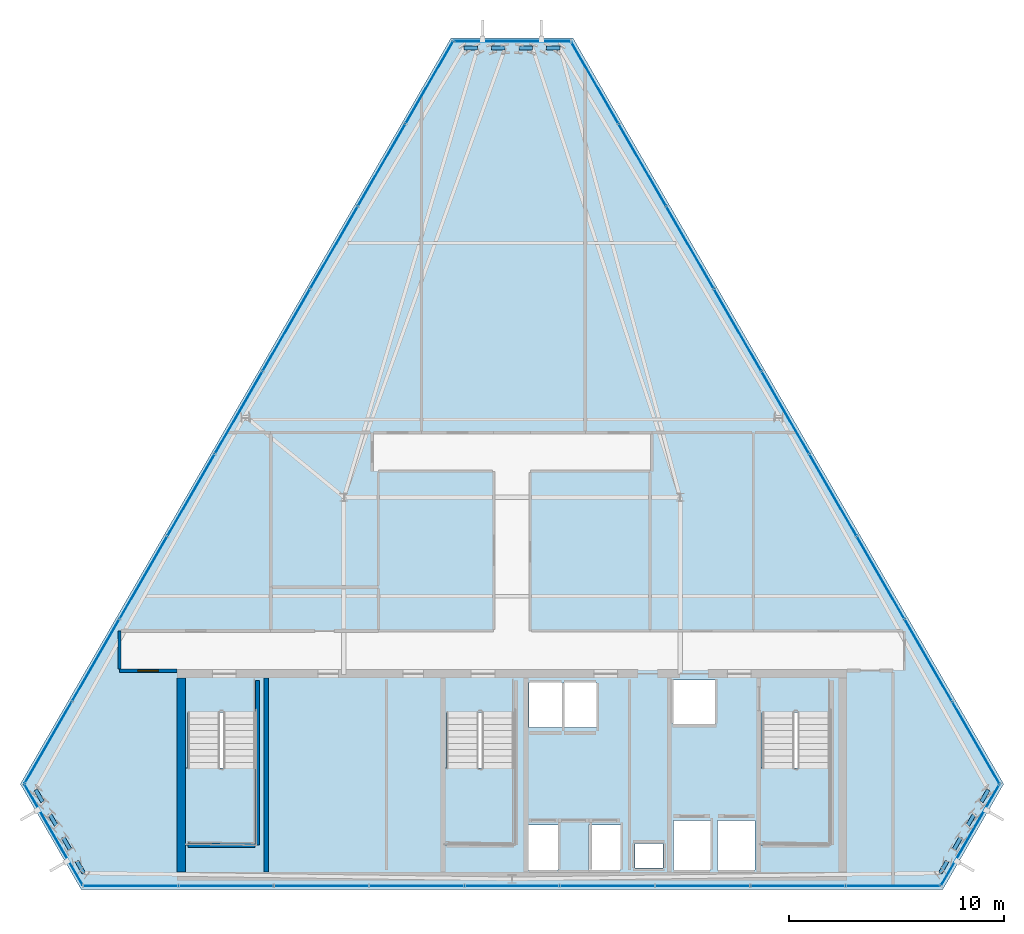
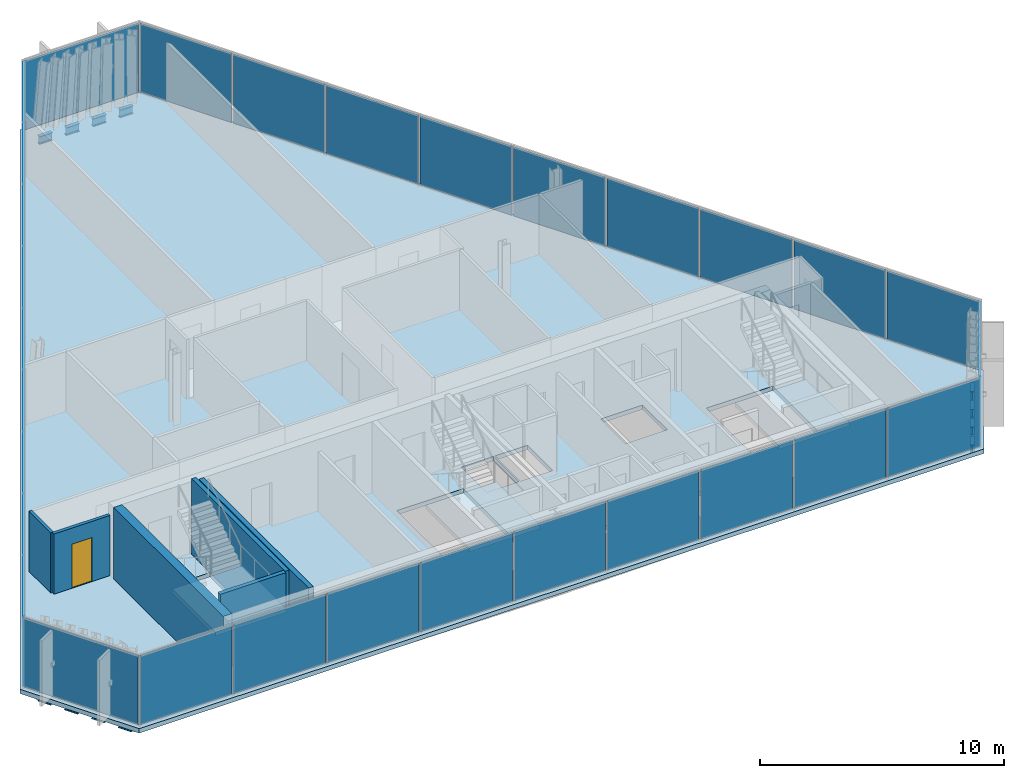
# One storey, part 28 of 34: 30 plates, 12 beams, 6 walls, 4 slabs, 1 door, 1 opening, 9 elements without a shape of their own.
"""IFC4 building model written with IfcOpenShell, lengths in metres."""

from ifc_helpers import new_model, si_unit, direction, frame, frame_2d, origin, origin_2d, place, context, subcontext, project, spatial, polyline, rectangle, i_section, outline, extrude, material, layer, layer_set, material_profile, profile_set, type_object, element, fill, aggregate, save


model = new_model("IFC4")

# Units and contexts
model_context = context("Model", 3, precision=1e-05, world=origin(), true_north=direction((0.0, 1.0)))
body_context = subcontext(model_context, "Body", "Model", "MODEL_VIEW")
ifc_project = project(units=[si_unit("LENGTHUNIT", "METRE"), si_unit("AREAUNIT", "SQUARE_METRE"), si_unit("VOLUMEUNIT", "CUBIC_METRE"), si_unit("PLANEANGLEUNIT", "RADIAN"), si_unit("MASSUNIT", "GRAM", prefix="KILO")], contexts=[model_context])

# Site, building, storey
site_placement = place(None, origin())
site = spatial("IfcSite", under=ifc_project, at=site_placement, CompositionType="ELEMENT")
building_placement = place(site_placement, origin())
building = spatial("IfcBuilding", under=site, at=building_placement, Name="Ndaravel Arena Tower", CompositionType="ELEMENT")
storey_placement = place(building_placement, frame((0.0, 0.0, 267.39990234375)))
storey = spatial("IfcBuildingStorey", under=building, at=storey_placement, Name="L65", CompositionType="ELEMENT", Elevation=267.39990234375)

# Beams
ifc_material_1 = material(Name="Steel S355", Category="steel")
ifc_material_profile = material_profile(ifc_material_1, i_section(OverallWidth=0.179931640625, OverallDepth=0.39990234375, WebThickness=0.008544921875, FlangeThickness=0.013427734375, FilletRadius=0.02099609375, at=origin_2d()), Name="IPE 400")
ifc_profile_set = profile_set([ifc_material_profile], Name="Steel S355")
beam_type = type_object("IfcBeamType", Name="BM-SPAN-IPE400", PredefinedType="SPANDREL", material=ifc_profile_set)
for number, where, z_axis, x_axis, name in (
    (1, (61.87548828125, 5.755615234375, -0.419921875), (0.499977104415, 0.866038622153, 0.0), (-0.866038622153, 0.499977104415, 0.0), "L65 Perimeter Spandrel Beam SP-02"),
    (2, (62.51171875, 6.85791015625, -0.419921875), (0.499977104415, 0.866038622153, 0.0), (-0.866038622153, 0.499977104415, 0.0), "L65 Perimeter Spandrel Beam SP-04"),
    (3, (63.148193359375, 7.9599609375, -0.419921875), (0.499977104415, 0.866038622153, 0.0), (-0.866038622153, 0.499977104415, 0.0), "L65 Perimeter Spandrel Beam SP-06"),
):
    element("IfcBeam", number, at=place(storey_placement, frame(where, z_axis=z_axis, x_axis=x_axis)), inside=storey, type_object=beam_type, Name=name, PredefinedType="SPANDREL", context=body_context, shape_type="SweptSolid", body=[
        extrude(i_section(OverallWidth=0.179931640625, OverallDepth=0.39990234375, WebThickness=0.008544921875, FlangeThickness=0.013427734375, FilletRadius=0.02099609375, at=origin_2d()), origin(), (0.0, 0.0, 1.0), 0.63623046875),
    ])
for number, where, z_axis, x_axis, name in (
    (4, (63.784423828125, 9.06201171875, -0.419921875), (0.499811003198, 0.866134493646, 0.0), (-0.866134493646, 0.499811003198, 0.0), "L65 Perimeter Spandrel Beam SP-08"),
    (5, (44.227294921875, 44.038330078125, -0.419921875), (-1.0, 0.0, 0.0), (0.0, -1.0, 0.0), "L65 Perimeter Spandrel Beam SP-11"),
    (6, (42.95458984375, 44.038330078125, -0.419921875), (-1.0, 0.0, 0.0), (0.0, -1.0, 0.0), "L65 Perimeter Spandrel Beam SP-13"),
    (7, (41.681884765625, 44.038330078125, -0.419921875), (-1.0, 0.0, 0.0), (0.0, -1.0, 0.0), "L65 Perimeter Spandrel Beam SP-15"),
    (8, (40.4091796875, 44.038330078125, -0.419921875), (-1.0, 0.0, 0.0), (0.0, -1.0, 0.0), "L65 Perimeter Spandrel Beam SP-17"),
    (9, (19.8974609375, 9.61328125, -0.419921875), (0.499811003198, -0.866134493646, 0.0), (0.866134493646, 0.499811003198, 0.0), "L65 Perimeter Spandrel Beam SP-20"),
):
    element("IfcBeam", number, at=place(storey_placement, frame(where, z_axis=z_axis, x_axis=x_axis)), inside=storey, type_object=beam_type, Name=name, PredefinedType="SPANDREL", context=body_context, shape_type="SweptSolid", body=[
        extrude(i_section(OverallWidth=0.179931640625, OverallDepth=0.39990234375, WebThickness=0.008544921875, FlangeThickness=0.013427734375, FilletRadius=0.02099609375, at=origin_2d()), origin(), (0.0, 0.0, 1.0), 0.636474609375),
    ])
for number, where, z_axis, x_axis, name in (
    (10, (20.53369140625, 8.510986328125, -0.419921875), (0.499977104415, -0.866038622153, 0.0), (0.866038622153, 0.499977104415, 0.0), "L65 Perimeter Spandrel Beam SP-22"),
    (11, (21.170166015625, 7.408935546875, -0.419921875), (0.499977104415, -0.866038622153, 0.0), (0.866038622153, 0.499977104415, 0.0), "L65 Perimeter Spandrel Beam SP-24"),
    (12, (21.806396484375, 6.306640625, -0.419921875), (0.499977104415, -0.866038622153, 0.0), (0.866038622153, 0.499977104415, 0.0), "L65 Perimeter Spandrel Beam SP-26"),
):
    element("IfcBeam", number, at=place(storey_placement, frame(where, z_axis=z_axis, x_axis=x_axis)), inside=storey, type_object=beam_type, Name=name, PredefinedType="SPANDREL", context=body_context, shape_type="SweptSolid", body=[
        extrude(i_section(OverallWidth=0.179931640625, OverallDepth=0.39990234375, WebThickness=0.008544921875, FlangeThickness=0.013427734375, FilletRadius=0.02099609375, at=origin_2d()), origin(), (0.0, 0.0, 1.0), 0.63623046875),
    ])

# Curtain wall, plate
ifc_material_2 = material(Name="Aluminium", Category="aluminium")
ifc_layer_1 = layer(ifc_material_2, 0.179931640625)
ifc_layer_set_1 = layer_set([ifc_layer_1], Name="Aluminium")
curtain_wall_type_1 = type_object("IfcCurtainWallType", Name="CW-SYS-01", PredefinedType="NOTDEFINED", material=ifc_layer_set_1)
curtain_wall_1_placement = place(storey_placement, origin())
curtain_wall_1 = element("IfcCurtainWall", 13, at=curtain_wall_1_placement, inside=storey, type_object=curtain_wall_type_1, Name="L65 Faceted Crystal Curtain Wall CW-L65-E02", PredefinedType="NOTDEFINED")
ifc_material_3 = material(Name="Glazing", Category="glass")
ifc_layer_2 = layer(ifc_material_3, 0.031982421875)
ifc_layer_set_2 = layer_set([ifc_layer_2], Name="Glazing")
plate_type_1 = type_object("IfcPlateType", Name="PLT-GLZ-FRIT35", PredefinedType="CURTAIN_PANEL", material=ifc_layer_set_2)
plate_1_placement = place(storey_placement, frame((63.26611328125, 7.5244140625, 0.06005859375), z_axis=(0.0, 0.0, 1.0), x_axis=(0.5, 0.866025403784, 0.0)))
plate_1 = element("IfcPlate", 14, at=plate_1_placement, type_object=plate_type_1, Name="CW-L65-E02 Vision Glass Panel 01", PredefinedType="CURTAIN_PANEL", context=body_context, shape_type="SweptSolid", body=[
    extrude(rectangle(XDim=5.38037109375, YDim=0.035888671875, at=origin_2d()), origin(), (0.0, 0.0, 1.0), 3.4599609375),
])
aggregate(curtain_wall_1, [plate_1])

curtain_wall_2_placement = place(storey_placement, origin())
curtain_wall_2 = element("IfcCurtainWall", 15, at=curtain_wall_2_placement, inside=storey, type_object=curtain_wall_type_1, Name="L65 Faceted Crystal Curtain Wall CW-L65-E04", PredefinedType="NOTDEFINED")
plate_2_placement = place(storey_placement, frame((42.0, 44.3583984375, 0.06005859375), z_axis=(0.0, 0.0, 1.0), x_axis=(-1.0, 0.0, 0.0)))
plate_2 = element("IfcPlate", 16, at=plate_2_placement, type_object=plate_type_1, Name="CW-L65-E04 Vision Glass Panel 01", PredefinedType="CURTAIN_PANEL", context=body_context, shape_type="SweptSolid", body=[
    extrude(rectangle(XDim=5.38037109375, YDim=0.035888671875, at=origin_2d()), origin(), (0.0, 0.0, 1.0), 3.4599609375),
])
aggregate(curtain_wall_2, [plate_2])

ifc_material_4 = material(Name="Aluminium", Category="aluminium")
ifc_layer_3 = layer(ifc_material_4, 0.179931640625)
ifc_layer_set_3 = layer_set([ifc_layer_3], Name="Aluminium")
curtain_wall_type_2 = type_object("IfcCurtainWallType", Name="CW-SYS-02", PredefinedType="NOTDEFINED", material=ifc_layer_set_3)
curtain_wall_3_placement = place(storey_placement, origin())
curtain_wall_3 = element("IfcCurtainWall", 17, at=curtain_wall_3_placement, inside=storey, type_object=curtain_wall_type_2, Name="L65 Faceted Crystal Curtain Wall CW-L65-E06", PredefinedType="NOTDEFINED")
ifc_material_5 = material(Name="Glazing", Category="glass")
ifc_layer_4 = layer(ifc_material_5, 0.035888671875)
ifc_layer_set_4 = layer_set([ifc_layer_4], Name="Glazing")
plate_type_2 = type_object("IfcPlateType", Name="PLT-GLZ-FRIT55", PredefinedType="CURTAIN_PANEL", material=ifc_layer_set_4)
plate_3_placement = place(storey_placement, frame((20.73388671875, 7.5244140625, 0.06005859375), z_axis=(0.0, 0.0, 1.0), x_axis=(0.5, -0.866025403784, 0.0)))
plate_3 = element("IfcPlate", 18, at=plate_3_placement, type_object=plate_type_2, Name="CW-L65-E06 Vision Glass Panel 01", PredefinedType="CURTAIN_PANEL", context=body_context, shape_type="SweptSolid", body=[
    extrude(rectangle(XDim=5.38037109375, YDim=0.035888671875, at=origin_2d()), origin(), (0.0, 0.0, 1.0), 3.4599609375),
])
aggregate(curtain_wall_3, [plate_3])

# Curtain wall, plates
ifc_material_6 = material(Name="Aluminium", Category="aluminium")
ifc_layer_5 = layer(ifc_material_6, 0.179931640625)
ifc_layer_set_5 = layer_set([ifc_layer_5], Name="Aluminium")
curtain_wall_type_3 = type_object("IfcCurtainWallType", Name="CW-SYS-03", PredefinedType="NOTDEFINED", material=ifc_layer_set_5)
curtain_wall_4_placement = place(storey_placement, origin())
curtain_wall_4 = element("IfcCurtainWall", 19, at=curtain_wall_4_placement, inside=storey, type_object=curtain_wall_type_3, Name="L65 Faceted Crystal Curtain Wall CW-L65-E01", PredefinedType="NOTDEFINED")
ifc_material_7 = material(Name="Glazing", Category="glass")
ifc_layer_6 = layer(ifc_material_7, 0.0400390625)
ifc_layer_set_6 = layer_set([ifc_layer_6], Name="Glazing")
plate_type_3 = type_object("IfcPlateType", Name="PLT-GLZ-LOWIRON", PredefinedType="CURTAIN_PANEL", material=ifc_layer_set_6)
plate_4_placement = place(storey_placement, frame((24.310302734375, 5.159912109375, 0.06005859375), z_axis=(0.0, 0.0, 1.0), x_axis=(1.0, 0.0, 0.0)))
plate_4 = element("IfcPlate", 20, at=plate_4_placement, type_object=plate_type_3, Name="CW-L65-E01 Vision Glass Panel 01", PredefinedType="CURTAIN_PANEL", context=body_context, shape_type="SweptSolid", body=[
    extrude(rectangle(XDim=4.34228515625, YDim=0.035888671875, at=origin_2d()), origin(), (0.0, 0.0, 1.0), 3.4599609375),
])
plate_5_placement = place(storey_placement, frame((28.732666015625, 5.159912109375, 0.06005859375), z_axis=(0.0, 0.0, 1.0), x_axis=(1.0, 0.0, 0.0)))
plate_5 = element("IfcPlate", 21, at=plate_5_placement, type_object=plate_type_3, Name="CW-L65-E01 Vision Glass Panel 02", PredefinedType="CURTAIN_PANEL", context=body_context, shape_type="SweptSolid", body=[
    extrude(rectangle(XDim=4.34228515625, YDim=0.035888671875, at=origin_2d()), origin(), (0.0, 0.0, 1.0), 3.4599609375),
])
plate_6_placement = place(storey_placement, frame((33.155029296875, 5.159912109375, 0.06005859375), z_axis=(0.0, 0.0, 1.0), x_axis=(1.0, 0.0, 0.0)))
plate_6 = element("IfcPlate", 22, at=plate_6_placement, type_object=plate_type_3, Name="CW-L65-E01 Vision Glass Panel 03", PredefinedType="CURTAIN_PANEL", context=body_context, shape_type="SweptSolid", body=[
    extrude(rectangle(XDim=4.34228515625, YDim=0.035888671875, at=origin_2d()), origin(), (0.0, 0.0, 1.0), 3.4599609375),
])
plate_7_placement = place(storey_placement, frame((37.57763671875, 5.159912109375, 0.06005859375), z_axis=(0.0, 0.0, 1.0), x_axis=(1.0, 0.0, 0.0)))
plate_7 = element("IfcPlate", 23, at=plate_7_placement, type_object=plate_type_3, Name="CW-L65-E01 Vision Glass Panel 04", PredefinedType="CURTAIN_PANEL", context=body_context, shape_type="SweptSolid", body=[
    extrude(rectangle(XDim=4.34228515625, YDim=0.035888671875, at=origin_2d()), origin(), (0.0, 0.0, 1.0), 3.4599609375),
])
plate_8_placement = place(storey_placement, frame((42.0, 5.159912109375, 0.06005859375), z_axis=(0.0, 0.0, 1.0), x_axis=(1.0, 0.0, 0.0)))
plate_8 = element("IfcPlate", 24, at=plate_8_placement, type_object=plate_type_3, Name="CW-L65-E01 Vision Glass Panel 05", PredefinedType="CURTAIN_PANEL", context=body_context, shape_type="SweptSolid", body=[
    extrude(rectangle(XDim=4.34228515625, YDim=0.035888671875, at=origin_2d()), origin(), (0.0, 0.0, 1.0), 3.4599609375),
])
plate_9_placement = place(storey_placement, frame((46.42236328125, 5.159912109375, 0.06005859375), z_axis=(0.0, 0.0, 1.0), x_axis=(1.0, 0.0, 0.0)))
plate_9 = element("IfcPlate", 25, at=plate_9_placement, type_object=plate_type_3, Name="CW-L65-E01 Vision Glass Panel 06", PredefinedType="CURTAIN_PANEL", context=body_context, shape_type="SweptSolid", body=[
    extrude(rectangle(XDim=4.34228515625, YDim=0.035888671875, at=origin_2d()), origin(), (0.0, 0.0, 1.0), 3.4599609375),
])
plate_10_placement = place(storey_placement, frame((50.844970703125, 5.159912109375, 0.06005859375), z_axis=(0.0, 0.0, 1.0), x_axis=(1.0, 0.0, 0.0)))
plate_10 = element("IfcPlate", 26, at=plate_10_placement, type_object=plate_type_3, Name="CW-L65-E01 Vision Glass Panel 07", PredefinedType="CURTAIN_PANEL", context=body_context, shape_type="SweptSolid", body=[
    extrude(rectangle(XDim=4.34228515625, YDim=0.035888671875, at=origin_2d()), origin(), (0.0, 0.0, 1.0), 3.4599609375),
])
plate_11_placement = place(storey_placement, frame((55.267333984375, 5.159912109375, 0.06005859375), z_axis=(0.0, 0.0, 1.0), x_axis=(1.0, 0.0, 0.0)))
plate_11 = element("IfcPlate", 27, at=plate_11_placement, type_object=plate_type_3, Name="CW-L65-E01 Vision Glass Panel 08", PredefinedType="CURTAIN_PANEL", context=body_context, shape_type="SweptSolid", body=[
    extrude(rectangle(XDim=4.34228515625, YDim=0.035888671875, at=origin_2d()), origin(), (0.0, 0.0, 1.0), 3.4599609375),
])
plate_12_placement = place(storey_placement, frame((59.689697265625, 5.159912109375, 0.06005859375), z_axis=(0.0, 0.0, 1.0), x_axis=(1.0, 0.0, 0.0)))
plate_12 = element("IfcPlate", 28, at=plate_12_placement, type_object=plate_type_3, Name="CW-L65-E01 Vision Glass Panel 09", PredefinedType="CURTAIN_PANEL", context=body_context, shape_type="SweptSolid", body=[
    extrude(rectangle(XDim=4.34228515625, YDim=0.035888671875, at=origin_2d()), origin(), (0.0, 0.0, 1.0), 3.4599609375),
])
aggregate(curtain_wall_4, [plate_4, plate_5, plate_6, plate_7, plate_8, plate_9, plate_10, plate_11, plate_12])

curtain_wall_5_placement = place(storey_placement, origin())
curtain_wall_5 = element("IfcCurtainWall", 29, at=curtain_wall_5_placement, inside=storey, type_object=curtain_wall_type_3, Name="L65 Faceted Crystal Curtain Wall CW-L65-E03", PredefinedType="NOTDEFINED")
plate_13_placement = place(storey_placement, frame((63.525634765625, 11.8037109375, 0.06005859375), z_axis=(0.0, 0.0, 1.0), x_axis=(-0.5, 0.866025403784, 0.0)))
plate_13 = element("IfcPlate", 30, at=plate_13_placement, type_object=plate_type_3, Name="CW-L65-E03 Vision Glass Panel 01", PredefinedType="CURTAIN_PANEL", context=body_context, shape_type="SweptSolid", body=[
    extrude(rectangle(XDim=4.34228515625, YDim=0.035888671875, at=origin_2d()), origin(), (0.0, 0.0, 1.0), 3.4599609375),
])
plate_14_placement = place(storey_placement, frame((61.314453125, 15.6337890625, 0.06005859375), z_axis=(0.0, 0.0, 1.0), x_axis=(-0.5, 0.866025403784, 0.0)))
plate_14 = element("IfcPlate", 31, at=plate_14_placement, type_object=plate_type_3, Name="CW-L65-E03 Vision Glass Panel 02", PredefinedType="CURTAIN_PANEL", context=body_context, shape_type="SweptSolid", body=[
    extrude(rectangle(XDim=4.34228515625, YDim=0.035888671875, at=origin_2d()), origin(), (0.0, 0.0, 1.0), 3.4599609375),
])
plate_15_placement = place(storey_placement, frame((59.10302734375, 19.463623046875, 0.06005859375), z_axis=(0.0, 0.0, 1.0), x_axis=(-0.5, 0.866025403784, 0.0)))
plate_15 = element("IfcPlate", 32, at=plate_15_placement, type_object=plate_type_3, Name="CW-L65-E03 Vision Glass Panel 03", PredefinedType="CURTAIN_PANEL", context=body_context, shape_type="SweptSolid", body=[
    extrude(rectangle(XDim=4.34228515625, YDim=0.035888671875, at=origin_2d()), origin(), (0.0, 0.0, 1.0), 3.4599609375),
])
plate_16_placement = place(storey_placement, frame((56.891845703125, 23.293701171875, 0.06005859375), z_axis=(0.0, 0.0, 1.0), x_axis=(-0.5, 0.866025403784, 0.0)))
plate_16 = element("IfcPlate", 33, at=plate_16_placement, type_object=plate_type_3, Name="CW-L65-E03 Vision Glass Panel 04", PredefinedType="CURTAIN_PANEL", context=body_context, shape_type="SweptSolid", body=[
    extrude(rectangle(XDim=4.34228515625, YDim=0.035888671875, at=origin_2d()), origin(), (0.0, 0.0, 1.0), 3.4599609375),
])
plate_17_placement = place(storey_placement, frame((54.6806640625, 27.12353515625, 0.06005859375), z_axis=(0.0, 0.0, 1.0), x_axis=(-0.5, 0.866025403784, 0.0)))
plate_17 = element("IfcPlate", 34, at=plate_17_placement, type_object=plate_type_3, Name="CW-L65-E03 Vision Glass Panel 05", PredefinedType="CURTAIN_PANEL", context=body_context, shape_type="SweptSolid", body=[
    extrude(rectangle(XDim=4.34228515625, YDim=0.035888671875, at=origin_2d()), origin(), (0.0, 0.0, 1.0), 3.4599609375),
])
plate_18_placement = place(storey_placement, frame((52.469482421875, 30.95361328125, 0.06005859375), z_axis=(0.0, 0.0, 1.0), x_axis=(-0.5, 0.866025403784, 0.0)))
plate_18 = element("IfcPlate", 35, at=plate_18_placement, type_object=plate_type_3, Name="CW-L65-E03 Vision Glass Panel 06", PredefinedType="CURTAIN_PANEL", context=body_context, shape_type="SweptSolid", body=[
    extrude(rectangle(XDim=4.34228515625, YDim=0.035888671875, at=origin_2d()), origin(), (0.0, 0.0, 1.0), 3.4599609375),
])
plate_19_placement = place(storey_placement, frame((50.25830078125, 34.783447265625, 0.06005859375), z_axis=(0.0, 0.0, 1.0), x_axis=(-0.5, 0.866025403784, 0.0)))
plate_19 = element("IfcPlate", 36, at=plate_19_placement, type_object=plate_type_3, Name="CW-L65-E03 Vision Glass Panel 07", PredefinedType="CURTAIN_PANEL", context=body_context, shape_type="SweptSolid", body=[
    extrude(rectangle(XDim=4.34228515625, YDim=0.035888671875, at=origin_2d()), origin(), (0.0, 0.0, 1.0), 3.4599609375),
])
plate_20_placement = place(storey_placement, frame((48.047119140625, 38.613525390625, 0.06005859375), z_axis=(0.0, 0.0, 1.0), x_axis=(-0.5, 0.866025403784, 0.0)))
plate_20 = element("IfcPlate", 37, at=plate_20_placement, type_object=plate_type_3, Name="CW-L65-E03 Vision Glass Panel 08", PredefinedType="CURTAIN_PANEL", context=body_context, shape_type="SweptSolid", body=[
    extrude(rectangle(XDim=4.34228515625, YDim=0.035888671875, at=origin_2d()), origin(), (0.0, 0.0, 1.0), 3.4599609375),
])
plate_21_placement = place(storey_placement, frame((45.835693359375, 42.443359375, 0.06005859375), z_axis=(0.0, 0.0, 1.0), x_axis=(-0.5, 0.866025403784, 0.0)))
plate_21 = element("IfcPlate", 38, at=plate_21_placement, type_object=plate_type_3, Name="CW-L65-E03 Vision Glass Panel 09", PredefinedType="CURTAIN_PANEL", context=body_context, shape_type="SweptSolid", body=[
    extrude(rectangle(XDim=4.34228515625, YDim=0.035888671875, at=origin_2d()), origin(), (0.0, 0.0, 1.0), 3.4599609375),
])
aggregate(curtain_wall_5, [plate_13, plate_14, plate_15, plate_16, plate_17, plate_18, plate_19, plate_20, plate_21])

curtain_wall_6_placement = place(storey_placement, origin())
curtain_wall_6 = element("IfcCurtainWall", 39, at=curtain_wall_6_placement, inside=storey, type_object=curtain_wall_type_3, Name="L65 Faceted Crystal Curtain Wall CW-L65-E05", PredefinedType="NOTDEFINED")
plate_22_placement = place(storey_placement, frame((38.164306640625, 42.443359375, 0.06005859375), z_axis=(0.0, 0.0, 1.0), x_axis=(-0.5, -0.866025403784, 0.0)))
plate_22 = element("IfcPlate", 40, at=plate_22_placement, type_object=plate_type_3, Name="CW-L65-E05 Vision Glass Panel 01", PredefinedType="CURTAIN_PANEL", context=body_context, shape_type="SweptSolid", body=[
    extrude(rectangle(XDim=4.34228515625, YDim=0.035888671875, at=origin_2d()), origin(), (0.0, 0.0, 1.0), 3.4599609375),
])
plate_23_placement = place(storey_placement, frame((35.952880859375, 38.613525390625, 0.06005859375), z_axis=(0.0, 0.0, 1.0), x_axis=(-0.5, -0.866025403784, 0.0)))
plate_23 = element("IfcPlate", 41, at=plate_23_placement, type_object=plate_type_3, Name="CW-L65-E05 Vision Glass Panel 02", PredefinedType="CURTAIN_PANEL", context=body_context, shape_type="SweptSolid", body=[
    extrude(rectangle(XDim=4.34228515625, YDim=0.035888671875, at=origin_2d()), origin(), (0.0, 0.0, 1.0), 3.4599609375),
])
plate_24_placement = place(storey_placement, frame((33.74169921875, 34.783447265625, 0.06005859375), z_axis=(0.0, 0.0, 1.0), x_axis=(-0.5, -0.866025403784, 0.0)))
plate_24 = element("IfcPlate", 42, at=plate_24_placement, type_object=plate_type_3, Name="CW-L65-E05 Vision Glass Panel 03", PredefinedType="CURTAIN_PANEL", context=body_context, shape_type="SweptSolid", body=[
    extrude(rectangle(XDim=4.34228515625, YDim=0.035888671875, at=origin_2d()), origin(), (0.0, 0.0, 1.0), 3.4599609375),
])
plate_25_placement = place(storey_placement, frame((31.530517578125, 30.95361328125, 0.06005859375), z_axis=(0.0, 0.0, 1.0), x_axis=(-0.5, -0.866025403784, 0.0)))
plate_25 = element("IfcPlate", 43, at=plate_25_placement, type_object=plate_type_3, Name="CW-L65-E05 Vision Glass Panel 04", PredefinedType="CURTAIN_PANEL", context=body_context, shape_type="SweptSolid", body=[
    extrude(rectangle(XDim=4.34228515625, YDim=0.035888671875, at=origin_2d()), origin(), (0.0, 0.0, 1.0), 3.4599609375),
])
plate_26_placement = place(storey_placement, frame((29.3193359375, 27.12353515625, 0.06005859375), z_axis=(0.0, 0.0, 1.0), x_axis=(-0.5, -0.866025403784, 0.0)))
plate_26 = element("IfcPlate", 44, at=plate_26_placement, type_object=plate_type_3, Name="CW-L65-E05 Vision Glass Panel 05", PredefinedType="CURTAIN_PANEL", context=body_context, shape_type="SweptSolid", body=[
    extrude(rectangle(XDim=4.34228515625, YDim=0.035888671875, at=origin_2d()), origin(), (0.0, 0.0, 1.0), 3.4599609375),
])
plate_27_placement = place(storey_placement, frame((27.108154296875, 23.293701171875, 0.06005859375), z_axis=(0.0, 0.0, 1.0), x_axis=(-0.5, -0.866025403784, 0.0)))
plate_27 = element("IfcPlate", 45, at=plate_27_placement, type_object=plate_type_3, Name="CW-L65-E05 Vision Glass Panel 06", PredefinedType="CURTAIN_PANEL", context=body_context, shape_type="SweptSolid", body=[
    extrude(rectangle(XDim=4.34228515625, YDim=0.035888671875, at=origin_2d()), origin(), (0.0, 0.0, 1.0), 3.4599609375),
])
plate_28_placement = place(storey_placement, frame((24.89697265625, 19.463623046875, 0.06005859375), z_axis=(0.0, 0.0, 1.0), x_axis=(-0.5, -0.866025403784, 0.0)))
plate_28 = element("IfcPlate", 46, at=plate_28_placement, type_object=plate_type_3, Name="CW-L65-E05 Vision Glass Panel 07", PredefinedType="CURTAIN_PANEL", context=body_context, shape_type="SweptSolid", body=[
    extrude(rectangle(XDim=4.34228515625, YDim=0.035888671875, at=origin_2d()), origin(), (0.0, 0.0, 1.0), 3.4599609375),
])
plate_29_placement = place(storey_placement, frame((22.685546875, 15.6337890625, 0.06005859375), z_axis=(0.0, 0.0, 1.0), x_axis=(-0.5, -0.866025403784, 0.0)))
plate_29 = element("IfcPlate", 47, at=plate_29_placement, type_object=plate_type_3, Name="CW-L65-E05 Vision Glass Panel 08", PredefinedType="CURTAIN_PANEL", context=body_context, shape_type="SweptSolid", body=[
    extrude(rectangle(XDim=4.34228515625, YDim=0.035888671875, at=origin_2d()), origin(), (0.0, 0.0, 1.0), 3.4599609375),
])
plate_30_placement = place(storey_placement, frame((20.474365234375, 11.8037109375, 0.06005859375), z_axis=(0.0, 0.0, 1.0), x_axis=(-0.5, -0.866025403784, 0.0)))
plate_30 = element("IfcPlate", 48, at=plate_30_placement, type_object=plate_type_3, Name="CW-L65-E05 Vision Glass Panel 09", PredefinedType="CURTAIN_PANEL", context=body_context, shape_type="SweptSolid", body=[
    extrude(rectangle(XDim=4.34228515625, YDim=0.035888671875, at=origin_2d()), origin(), (0.0, 0.0, 1.0), 3.4599609375),
])
aggregate(curtain_wall_6, [plate_22, plate_23, plate_24, plate_25, plate_26, plate_27, plate_28, plate_29, plate_30])

# Stair, slab
ifc_material_8 = material(Name="Concrete C40/50", Category="concrete")
stair_type = type_object("IfcStairType", Name="STAIR-CORE-HT", PredefinedType="HALF_TURN_STAIR", material=ifc_material_8)
stair_1_placement = place(storey_placement, origin())
stair_1 = element("IfcStair", 49, at=stair_1_placement, inside=storey, type_object=stair_type, Name="L65 ST-1", PredefinedType="HALF_TURN_STAIR")
ifc_material_9 = material(Name="Concrete C40/50", Category="concrete")
ifc_layer_7 = layer(ifc_material_9, 0.199951171875)
ifc_layer_set_7 = layer_set([ifc_layer_7], Name="Concrete C40/50")
slab_type_1 = type_object("IfcSlabType", Name="SLAB-STAIR-LANDING", PredefinedType="LANDING", material=ifc_layer_set_7)
slab_1_placement = place(storey_placement, frame((0.0, 0.0, 1.7001953125)))
slab_1 = element("IfcSlab", 50, at=slab_1_placement, type_object=slab_type_1, Name="ST-1 landing 1", PredefinedType="LANDING", context=body_context, shape_type="SweptSolid", body=[
    extrude(outline(polyline([(26.81005859375, 10.6298828125), (26.81005859375, 7.070068359375), (30.169921875, 7.070068359375), (30.169921875, 10.6298828125), (26.81005859375, 10.6298828125)])), origin(), (0.0, 0.0, 1.0), 0.199951171875),
])
aggregate(stair_1, [slab_1])

stair_2_placement = place(storey_placement, origin())
stair_2 = element("IfcStair", 51, at=stair_2_placement, inside=storey, type_object=stair_type, Name="L65 ST-2", PredefinedType="HALF_TURN_STAIR")
slab_2_placement = place(storey_placement, frame((0.0, 0.0, 1.7001953125)))
slab_2 = element("IfcSlab", 52, at=slab_2_placement, type_object=slab_type_1, Name="ST-2 landing 1", PredefinedType="LANDING", context=body_context, shape_type="SweptSolid", body=[
    extrude(outline(polyline([(38.81005859375, 10.6298828125), (38.81005859375, 7.070068359375), (42.169921875, 7.070068359375), (42.169921875, 10.6298828125), (38.81005859375, 10.6298828125)])), origin(), (0.0, 0.0, 1.0), 0.199951171875),
])
aggregate(stair_2, [slab_2])

stair_3_placement = place(storey_placement, origin())
stair_3 = element("IfcStair", 53, at=stair_3_placement, inside=storey, type_object=stair_type, Name="L65 ST-3", PredefinedType="HALF_TURN_STAIR")
slab_3_placement = place(storey_placement, frame((0.0, 0.0, 1.7001953125)))
slab_3 = element("IfcSlab", 54, at=slab_3_placement, type_object=slab_type_1, Name="ST-3 landing 1", PredefinedType="LANDING", context=body_context, shape_type="SweptSolid", body=[
    extrude(outline(polyline([(53.4599609375, 10.6298828125), (53.4599609375, 7.070068359375), (56.820068359375, 7.070068359375), (56.820068359375, 10.6298828125), (53.4599609375, 10.6298828125)])), origin(), (0.0, 0.0, 1.0), 0.199951171875),
])
aggregate(stair_3, [slab_3])

# Slab
ifc_material_10 = material(Name="Concrete C40/50", Category="concrete")
ifc_layer_8 = layer(ifc_material_10, 0.219970703125)
ifc_layer_set_8 = layer_set([ifc_layer_8], Name="Concrete C40/50")
slab_type_2 = type_object("IfcSlabType", Name="SLAB-TWR-220", PredefinedType="FLOOR", material=ifc_layer_set_8)
slab_4_placement = place(storey_placement, frame((0.0, 0.0, -0.219970703125)))
element("IfcSlab", 55, at=slab_4_placement, inside=storey, type_object=slab_type_2, Name="L65 Structural Floor Slab", PredefinedType="FLOOR", context=body_context, shape_type="SweptSolid", body=[
    extrude(outline(polyline([(19.18408203125, 9.888916015625), (22.006591796875, 5.0), (61.993408203125, 5.0), (64.81591796875, 9.888916015625), (44.822509765625, 44.518310546875), (39.177490234375, 44.518310546875), (19.18408203125, 9.888916015625)]), holes=[polyline([(26.949951171875, 13.215087890625), (26.949951171875, 7.14990234375), (30.090087890625, 7.14990234375), (30.090087890625, 13.215087890625), (26.949951171875, 13.215087890625)]), polyline([(38.949951171875, 13.215087890625), (38.949951171875, 7.14990234375), (42.090087890625, 7.14990234375), (42.090087890625, 13.215087890625), (38.949951171875, 13.215087890625)]), polyline([(53.60009765625, 13.215087890625), (53.60009765625, 7.14990234375), (56.739990234375, 7.14990234375), (56.739990234375, 13.215087890625), (53.60009765625, 13.215087890625)]), polyline([(42.659912109375, 5.909912109375), (44.139892578125, 5.909912109375), (44.139892578125, 7.989990234375), (42.659912109375, 7.989990234375), (42.659912109375, 5.909912109375)]), polyline([(45.56005859375, 5.909912109375), (47.0400390625, 5.909912109375), (47.0400390625, 7.989990234375), (45.56005859375, 7.989990234375), (45.56005859375, 5.909912109375)]), polyline([(42.784912109375, 12.510009765625), (44.31494140625, 12.510009765625), (44.31494140625, 14.590087890625), (42.784912109375, 14.590087890625), (42.784912109375, 12.510009765625)]), polyline([(44.385009765625, 12.510009765625), (45.9150390625, 12.510009765625), (45.9150390625, 14.590087890625), (44.385009765625, 14.590087890625), (44.385009765625, 12.510009765625)]), polyline([(49.485107421875, 5.909912109375), (51.215087890625, 5.909912109375), (51.215087890625, 8.18994140625), (49.485107421875, 8.18994140625), (49.485107421875, 5.909912109375)]), polyline([(51.534912109375, 5.909912109375), (53.264892578125, 5.909912109375), (53.264892578125, 8.18994140625), (51.534912109375, 8.18994140625), (51.534912109375, 5.909912109375)]), polyline([(49.4599609375, 12.68505859375), (51.43994140625, 12.68505859375), (51.43994140625, 14.715087890625), (49.4599609375, 14.715087890625), (49.4599609375, 12.68505859375)]), polyline([(47.699951171875, 6.0), (49.0, 6.0), (49.0, 7.139892578125), (47.699951171875, 7.139892578125), (47.699951171875, 6.0)])]), origin(), (0.0, 0.0, 1.0), 0.219970703125),
])

# Walls
ifc_material_11 = material(Name="Concrete C50/60", Category="concrete")
ifc_layer_9 = layer(ifc_material_11, 0.219970703125)
ifc_layer_set_9 = layer_set([ifc_layer_9], Name="Concrete C50/60")
wall_type_1 = type_object("IfcWallType", Name="WALL-CORE-220", PredefinedType="SOLIDWALL", material=ifc_layer_set_9)
wall_1_placement = place(storey_placement, frame((30.60009765625, 5.800048828125, 0.0), z_axis=(0.0, 0.0, 1.0), x_axis=(0.0, 1.0, 0.0)))
element("IfcWall", 56, at=wall_1_placement, inside=storey, type_object=wall_type_1, Name="L65 Core Web Shear Wall 1", PredefinedType="SOLIDWALL", context=body_context, shape_type="SweptSolid", body=[
    extrude(rectangle(XDim=9.0, YDim=0.219970703125, at=frame_2d((4.5, 0.0))), origin(), (0.0, 0.0, 1.0), 3.580078125),
])
ifc_material_12 = material(Name="Concrete C50/60", Category="concrete")
ifc_layer_10 = layer(ifc_material_12, 0.39990234375)
ifc_layer_set_10 = layer_set([ifc_layer_10], Name="Concrete C50/60")
wall_type_2 = type_object("IfcWallType", Name="WALL-CORE-400", PredefinedType="SOLIDWALL", material=ifc_layer_set_10)
wall_2_placement = place(storey_placement, frame((26.64990234375, 5.800048828125, 0.0), z_axis=(0.0, 0.0, 1.0), x_axis=(0.0, 1.0, 0.0)))
element("IfcWall", 57, at=wall_2_placement, inside=storey, type_object=wall_type_2, Name="L65 Core West Shear Wall", PredefinedType="SOLIDWALL", context=body_context, shape_type="SweptSolid", body=[
    extrude(rectangle(XDim=9.0, YDim=0.39990234375, at=frame_2d((4.5, 0.0))), origin(), (0.0, 0.0, 1.0), 3.580078125),
])
ifc_material_13 = material(Name="Concrete C40/50", Category="concrete")
ifc_layer_11 = layer(ifc_material_13, 0.199951171875)
ifc_layer_set_11 = layer_set([ifc_layer_11], Name="Concrete C40/50")
wall_type_3 = type_object("IfcWallType", Name="WALL-SHAFT-200", PredefinedType="SOLIDWALL", material=ifc_layer_set_11)
wall_3_placement = place(storey_placement, frame((30.18994140625, 14.699951171875, 0.0), z_axis=(0.0, 0.0, 1.0), x_axis=(0.0, -1.0, 0.0)))
element("IfcWall", 58, at=wall_3_placement, inside=storey, type_object=wall_type_3, Name="L65 ST-1 Structural Shaft Wall Right", PredefinedType="SOLIDWALL", context=body_context, shape_type="SweptSolid", body=[
    extrude(rectangle(XDim=7.64990234375, YDim=0.199951171875, at=frame_2d((3.824951171875, 0.0))), origin(), (0.0, 0.0, 1.0), 3.800048828125),
])
wall_4_placement = place(storey_placement, frame((26.969970703125, 7.050048828125, 0.0), z_axis=(0.0, 0.0, 1.0), x_axis=(1.0, 0.0, 0.0)))
element("IfcWall", 59, at=wall_4_placement, inside=storey, type_object=wall_type_3, Name="L65 ST-1 Structural Shaft Wall Far", PredefinedType="SOLIDWALL", context=body_context, shape_type="SweptSolid", body=[
    extrude(rectangle(XDim=3.114990234375, YDim=0.199951171875, at=frame_2d((1.5576171875, 0.0))), origin(), (0.0, 0.0, 1.0), 3.800048828125),
])

# Wall, opening, door
ifc_material_14 = material(Name="Masonry", Category="masonry")
ifc_layer_12 = layer(ifc_material_14, 0.14990234375)
ifc_layer_set_12 = layer_set([ifc_layer_12], Name="Masonry")
wall_type_4 = type_object("IfcWallType", Name="WALL-WET-150", PredefinedType="PARTITIONING", material=ifc_layer_set_12)
wall_5_placement = place(storey_placement, frame((26.449951171875, 15.14990234375, 0.0), z_axis=(0.0, 0.0, 1.0), x_axis=(-1.0, 0.0, 0.0)))
wall_5 = element("IfcWall", 60, at=wall_5_placement, inside=storey, type_object=wall_type_4, Name="L65 Interior Partition 003", PredefinedType="PARTITIONING", context=body_context, shape_type="SweptSolid", body=[
    extrude(rectangle(XDim=2.666015625, YDim=0.14990234375, at=frame_2d((1.3330078125, 0.0))), origin(), (0.0, 0.0, 1.0), 3.010498046875),
])
opening_placement = place(wall_5_placement, frame((0.85791015625, 0.0, 0.0)))
opening = element("IfcOpeningElement", 61, at=opening_placement, cuts=wall_5, Name="Opening FD-03", PredefinedType="OPENING", context=body_context, shape_type="SweptSolid", body=[
    extrude(rectangle(XDim=0.949951171875, YDim=2.199951171875, at=frame_2d((0.47509765625, 1.10009765625))), frame((0.0, 0.074951171875, 0.0), z_axis=(0.0, -1.0, 0.0), x_axis=(1.0, 0.0, 0.0)), (0.0, 0.0, 1.0), 0.14990234375),
])
ifc_material_15 = material(Name="Steel S355", Category="steel")
door_type = type_object("IfcDoorType", Name="DT-11-CORE-950", OperationType="SINGLE_SWING_LEFT", PredefinedType="DOOR", material=ifc_material_15)
door_placement = place(opening_placement, origin())
door = element("IfcDoor", 62, at=door_placement, inside=storey, type_object=door_type, Name="L65 Staff Espresso Kitchen Door", OperationType="SINGLE_SWING_LEFT", OverallHeight=2.199951171875, OverallWidth=0.949951171875, PredefinedType="DOOR", context=body_context, shape_type="SweptSolid", body=[
    extrude(rectangle(XDim=0.949951171875, YDim=2.199951171875, at=frame_2d((0.47509765625, 1.10009765625))), frame((0.0, 0.02490234375, 0.0), z_axis=(0.0, -1.0, 0.0), x_axis=(1.0, 0.0, 0.0)), (0.0, 0.0, 1.0), 0.050048828125),
])
fill(opening, door)

# Wall
wall_6_placement = place(storey_placement, frame((23.783935546875, 15.215087890625, 0.0), z_axis=(0.0, 0.0, 1.0), x_axis=(0.0, 1.0, 0.0)))
element("IfcWall", 63, at=wall_6_placement, inside=storey, type_object=wall_type_4, Name="L65 Interior Partition 004", PredefinedType="PARTITIONING", context=body_context, shape_type="SweptSolid", body=[
    extrude(rectangle(XDim=1.784912109375, YDim=0.14990234375, at=frame_2d((0.892578125, 0.0))), origin(), (0.0, 0.0, 1.0), 3.010498046875),
])

save(model, "model.ifc")
